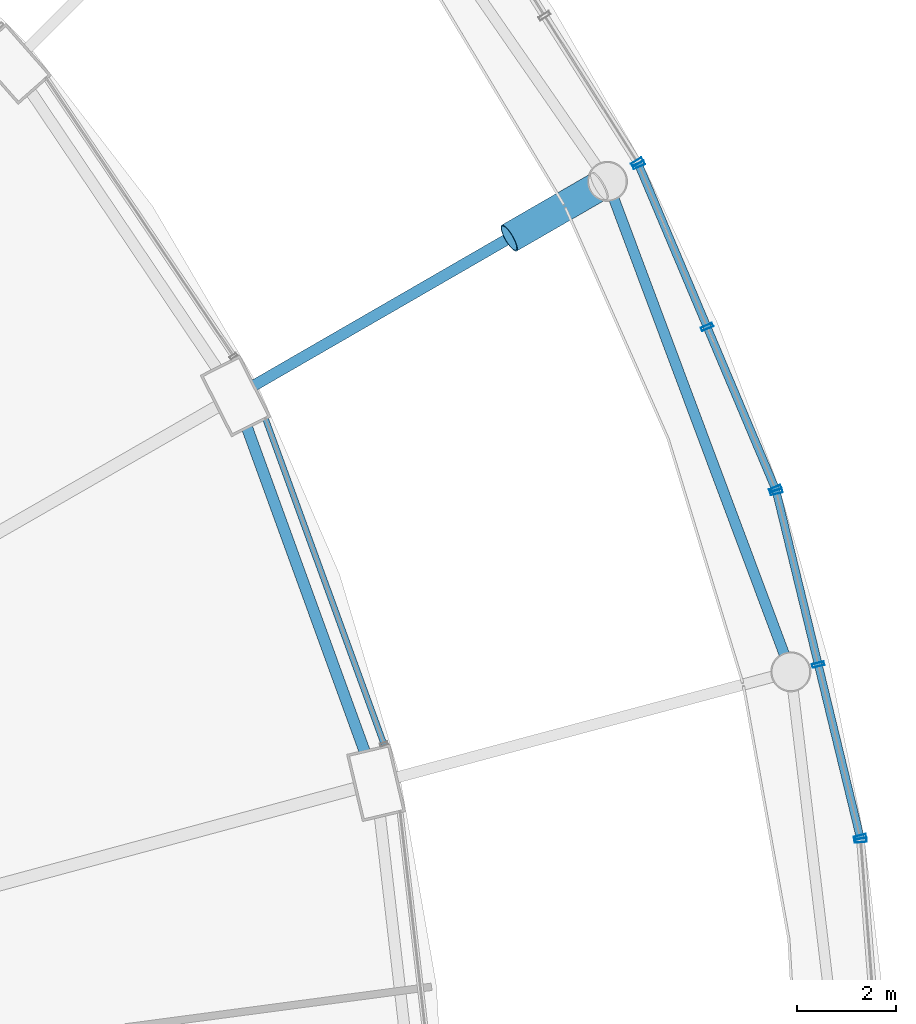
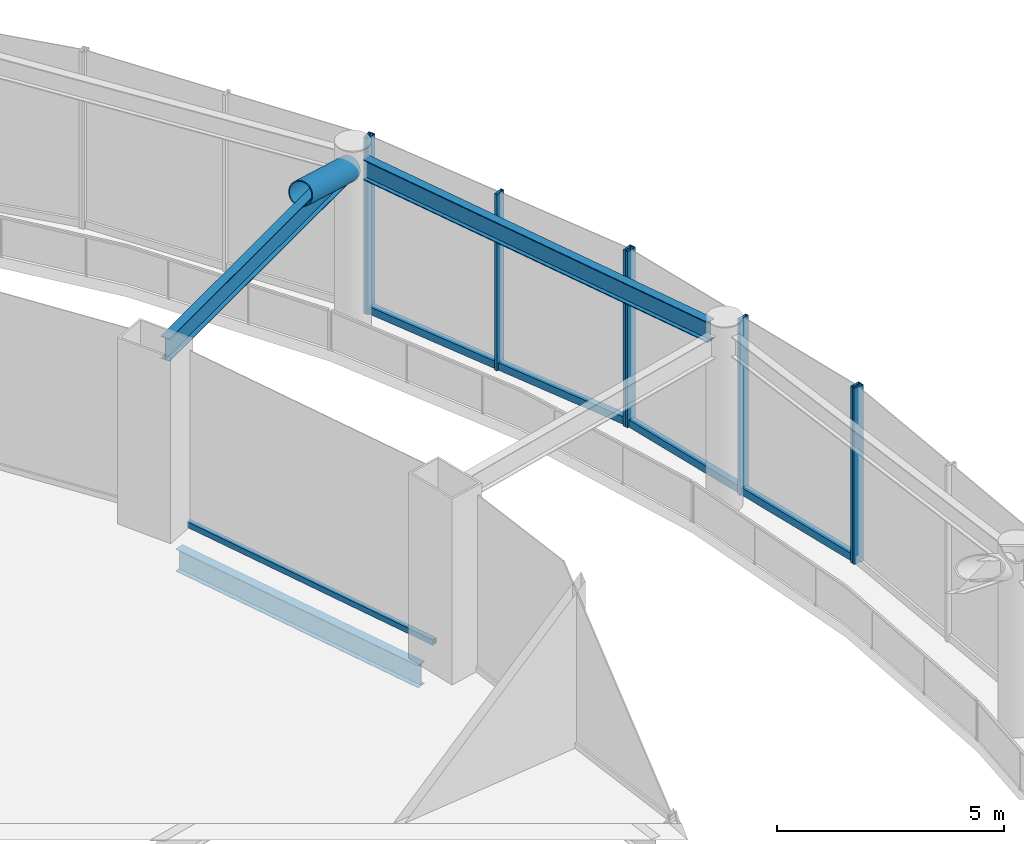
# One storey, part 29 of 52: 12 members, 3 beams, 5 elements without a shape of their own.
"""IFC4 building model written with IfcOpenShell, lengths in metres."""

import ifcopenshell
import ifcopenshell.guid

model = None  # the IFC model being written
_history = None  # IfcOwnerHistory: only IFC2X3 demands one
_inside = {}  # id of a spatial element -> (the spatial element, [elements in it])
_under = {}  # id of a project, library or spatial element -> (it, [spatial elements below it])
_declared = {}  # id of a project -> (the project, [libraries it declares])
_typed = {}  # id of a type object -> (the type object, [elements of that type])
_made_of = {}  # id of a material, layer set ... -> (it, [elements and type objects made of it])


def new_model(schema):
    """Start an empty IFC model of exactly this schema.

    Asked for "IFC4X3", IfcOpenShell would pick the latest addendum, in which some entities
    have other attributes; the version numbers below select the first issue.
    IFC2X3 requires an IfcOwnerHistory on every rooted entity: one is made here for all.
    """
    global model, _history
    if schema == "IFC4X3":
        model = ifcopenshell.file(schema_version=(4, 3, 0, 0))
    else:
        model = ifcopenshell.file(schema=schema)
    _inside.clear()
    _under.clear()
    _declared.clear()
    _typed.clear()
    _made_of.clear()
    _history = None
    if model.schema == "IFC2X3":
        org = make("IfcOrganization", Name="unknown")
        user = make(
            "IfcPersonAndOrganization",
            ThePerson=make("IfcPerson", FamilyName="unknown"),
            TheOrganization=org,
        )
        app = make(
            "IfcApplication",
            ApplicationDeveloper=org,
            Version="unknown",
            ApplicationFullName="unknown",
            ApplicationIdentifier="unknown",
        )
        _history = make(
            "IfcOwnerHistory",
            OwningUser=user,
            OwningApplication=app,
            ChangeAction="ADDED",
            CreationDate=0,
        )
    return model


def make(cls, **values):
    """One entity of the class cls with the attributes given. An attribute that is None is left unset."""
    return model.create_entity(
        cls, **{name: value for name, value in values.items() if value is not None}
    )


def rooted(cls, **values):
    """An entity with a GlobalId (a new one), such as an element, a storey or a relation."""
    return make(cls, GlobalId=ifcopenshell.guid.new(), OwnerHistory=_history, **values)


def si_unit(unit_type, name, prefix=None):
    """IfcSIUnit, for example si_unit("LENGTHUNIT", "METRE", prefix="MILLI")."""
    return make("IfcSIUnit", UnitType=unit_type, Prefix=prefix, Name=name)


def assignment(units):
    """IfcUnitAssignment: the units of a project."""
    return None if units is None else make("IfcUnitAssignment", Units=units)


def point(xyz):
    """IfcCartesianPoint."""
    return None if xyz is None else make("IfcCartesianPoint", Coordinates=xyz)


def direction(xyz):
    """IfcDirection."""
    return None if xyz is None else make("IfcDirection", DirectionRatios=xyz)


def frame(location, z_axis=None, x_axis=None):
    """IfcAxis2Placement3D, a coordinate frame: its origin and axes. An axis left out is left unset."""
    return make(
        "IfcAxis2Placement3D",
        Location=point(location),
        Axis=direction(z_axis),
        RefDirection=direction(x_axis),
    )


def frame_2d(location, x_axis=None):
    """IfcAxis2Placement2D, a coordinate frame in the plane: its origin and x axis."""
    return make(
        "IfcAxis2Placement2D", Location=point(location), RefDirection=direction(x_axis)
    )


def origin():
    """The frame at (0, 0, 0) with its axes left unset."""
    return frame((0.0, 0.0, 0.0))


def origin_2d():
    """The frame at (0, 0) in the plane with its x axis left unset."""
    return frame_2d((0.0, 0.0))


def place(relative_to, where):
    """IfcLocalPlacement: puts the frame where relative to a parent placement (None: the world)."""
    return make(
        "IfcLocalPlacement", PlacementRelTo=relative_to, RelativePlacement=where
    )


def context(
    kind, dimensions, precision=None, world=None, true_north=None, identifier=None
):
    """IfcGeometricRepresentationContext, for example the 3D "Model" context."""
    return make(
        "IfcGeometricRepresentationContext",
        ContextIdentifier=identifier,
        ContextType=kind,
        CoordinateSpaceDimension=dimensions,
        Precision=precision,
        WorldCoordinateSystem=world,
        TrueNorth=true_north,
    )


def subcontext(parent, identifier, kind, view, scale=None):
    """IfcGeometricRepresentationSubContext, for example "Body" below "Model"."""
    return make(
        "IfcGeometricRepresentationSubContext",
        ContextIdentifier=identifier,
        ContextType=kind,
        ParentContext=parent,
        TargetScale=scale,
        TargetView=view,
    )


def project(units=None, contexts=None):
    """IfcProject with its units and contexts."""
    return rooted(
        "IfcProject",
        Name="project",
        RepresentationContexts=contexts,
        UnitsInContext=assignment(units),
    )


def spatial(cls, under=None, at=None, **own):
    """A site, building, storey or space (cls), placed at a placement, below another one or the project."""
    s = rooted(cls, ObjectPlacement=at, **own)
    if under is not None:
        _under.setdefault(under.id(), (under, []))[1].append(s)
    return s


def profile(cls, at=None, kind="AREA", **sizes):
    """A parametric profile (cls). Its sizes go by their IFC names, for example OverallWidth=200.0."""
    return make(cls, ProfileType=kind, Position=at, **sizes)


def hollow_rectangle(**sizes):
    """IfcRectangleHollowProfileDef."""
    return profile("IfcRectangleHollowProfileDef", **sizes)


def hollow_circle(**sizes):
    """IfcCircleHollowProfileDef."""
    return profile("IfcCircleHollowProfileDef", **sizes)


def i_section(**sizes):
    """IfcIShapeProfileDef."""
    return profile("IfcIShapeProfileDef", **sizes)


def extrude(swept, where, along, depth):
    """IfcExtrudedAreaSolid: the profile swept, set in the frame where, extruded along a direction by depth."""
    return make(
        "IfcExtrudedAreaSolid",
        SweptArea=swept,
        Position=where,
        ExtrudedDirection=direction(along),
        Depth=depth,
    )


def shape(context_of_items, identifier, shape_type, items):
    """IfcShapeRepresentation: the items that make up one representation, for example the "Body"."""
    return make(
        "IfcShapeRepresentation",
        ContextOfItems=context_of_items,
        RepresentationIdentifier=identifier,
        RepresentationType=shape_type,
        Items=items,
    )


def material(Name=None, Category=None):
    """IfcMaterial."""
    return make("IfcMaterial", Name=Name, Category=Category)


def layer(
    of_material, thickness, ventilated=None, Name=None, Category=None, Priority=None
):
    """IfcMaterialLayer: one layer of a wall or slab, of a material (None: an air gap)."""
    return make(
        "IfcMaterialLayer",
        Material=of_material,
        LayerThickness=thickness,
        IsVentilated=ventilated,
        Name=Name,
        Category=Category,
        Priority=Priority,
    )


def layer_set(layers, Name=None):
    """IfcMaterialLayerSet."""
    return make("IfcMaterialLayerSet", MaterialLayers=layers, LayerSetName=Name)


def material_profile(
    of_material, cross_section, Name=None, Category=None, Priority=None
):
    """IfcMaterialProfile: a cross section and its material."""
    return make(
        "IfcMaterialProfile",
        Name=Name,
        Material=of_material,
        Profile=cross_section,
        Priority=Priority,
        Category=Category,
    )


def profile_set(profiles, Name=None, composite=None):
    """IfcMaterialProfileSet."""
    return make(
        "IfcMaterialProfileSet",
        Name=Name,
        MaterialProfiles=profiles,
        CompositeProfile=composite,
    )


def made_of(thing, what):
    """Note that an element or type object is made of a material, layer set ...; save() writes the relation."""
    if what is not None:
        _made_of.setdefault(what.id(), (what, []))[1].append(thing)
    return thing


def type_object(cls, material=None, **own):
    """A type object (cls), such as IfcWallType, which elements share."""
    return made_of(rooted(cls, **own), material)


def element(
    cls,
    number,
    at=None,
    inside=None,
    cuts=None,
    type_object=None,
    material=None,
    context=None,
    identifier="Body",
    shape_type=None,
    held_by="IfcProductDefinitionShape",
    body=None,
    shapes=None,
    **own,
):
    """One element of the class cls, such as IfcWall. Its Tag is "e" and its number.

    at: its placement. inside: the storey or other place that contains it. cuts: it is an
    opening in that element (IfcRelVoidsElement). A single representation is given by context,
    identifier, shape_type and body (its items); several are given by shapes. held_by: the class
    of the entity that holds the representations. save() writes the other relations.
    """
    e = rooted(cls, Tag="e%d" % number, ObjectPlacement=at, **own)
    if body is not None:
        shapes = [shape(context, identifier, shape_type, body)]
    if shapes is not None:
        e.Representation = make(held_by, Representations=shapes)
    if inside is not None:
        _inside.setdefault(inside.id(), (inside, []))[1].append(e)
    if cuts is not None:
        rooted(
            "IfcRelVoidsElement", RelatingBuildingElement=cuts, RelatedOpeningElement=e
        )
    if type_object is not None:
        _typed.setdefault(type_object.id(), (type_object, []))[1].append(e)
    return made_of(e, material)


def aggregate(whole, parts):
    """IfcRelAggregates: a whole, such as a stair, and the parts it consists of."""
    return rooted("IfcRelAggregates", RelatingObject=whole, RelatedObjects=parts)


def save(model, path):
    """Write the relations noted so far, then the file.

    IfcRelAggregates (storeys below a building ...), IfcRelContainedInSpatialStructure (elements
    in a storey), IfcRelDefinesByType, IfcRelAssociatesMaterial and IfcRelDeclares: one each for
    every whole, place, type object, material and project.
    """
    for whole, parts in _under.values():
        aggregate(whole, parts)
    for where, things in _inside.values():
        rooted(
            "IfcRelContainedInSpatialStructure",
            RelatedElements=things,
            RelatingStructure=where,
        )
    for kind, things in _typed.values():
        rooted("IfcRelDefinesByType", RelatedObjects=things, RelatingType=kind)
    for what, things in _made_of.values():
        rooted("IfcRelAssociatesMaterial", RelatedObjects=things, RelatingMaterial=what)
    for by, libraries in _declared.values():
        rooted("IfcRelDeclares", RelatingContext=by, RelatedDefinitions=libraries)
    model.write(path)


model = new_model("IFC4")

# Units and contexts
model_context = context("Model", 3, precision=1e-05, world=origin(), true_north=direction((0.0, 1.0)))
body_context = subcontext(model_context, "Body", "Model", "MODEL_VIEW")
ifc_project = project(units=[si_unit("LENGTHUNIT", "METRE"), si_unit("AREAUNIT", "SQUARE_METRE"), si_unit("VOLUMEUNIT", "CUBIC_METRE"), si_unit("PLANEANGLEUNIT", "RADIAN"), si_unit("MASSUNIT", "GRAM", prefix="KILO")], contexts=[model_context])

# Site, building, storey
site_placement = place(None, origin())
site = spatial("IfcSite", under=ifc_project, at=site_placement, CompositionType="ELEMENT")
building_placement = place(site_placement, origin())
building = spatial("IfcBuilding", under=site, at=building_placement, Name="Nagisa Residences", CompositionType="ELEMENT")
storey_placement = place(building_placement, frame((0.0, 0.0, 22.0)))
storey = spatial("IfcBuildingStorey", under=building, at=storey_placement, Name="L04", CompositionType="ELEMENT", Elevation=22.0)

# Beams
ifc_material_1 = material(Name="Steel ASTM A572 Gr 50", Category="steel")
ifc_material_profile_1 = material_profile(ifc_material_1, i_section(OverallWidth=0.214111328125, OverallDepth=0.549072265625, WebThickness=0.0146484375, FlangeThickness=0.023681640625, at=origin_2d()), Name="W530x138")
ifc_profile_set_1 = profile_set([ifc_material_profile_1], Name="Steel ASTM A572 Gr 50")
beam_type_1 = type_object("IfcBeamType", Name="Atrium ring beam W530x138", PredefinedType="BEAM", material=ifc_profile_set_1)
beam_1_placement = place(storey_placement, frame((39.39697265625, 11.025390625, 4.4755859375), z_axis=(-0.350304540877, 0.936635857012, 0.0), x_axis=(-0.936635857012, -0.350304540877, 0.0)))
element("IfcBeam", 1, at=beam_1_placement, inside=storey, type_object=beam_type_1, Name="beam:L04:rab02", PredefinedType="BEAM", context=body_context, shape_type="SweptSolid", body=[
    extrude(i_section(OverallWidth=0.214111328125, OverallDepth=0.549072265625, WebThickness=0.0146484375, FlangeThickness=0.023681640625, at=origin_2d()), origin(), (0.0, 0.0, 1.0), 9.8359375),
])
ifc_material_2 = material(Name="Steel ASTM A572 Gr 50", Category="steel")
ifc_material_profile_2 = material_profile(ifc_material_2, i_section(OverallWidth=0.22802734375, OverallDepth=0.60302734375, WebThickness=0.010498046875, FlangeThickness=0.014892578125, at=origin_2d()), Name="W610x101")
ifc_profile_set_2 = profile_set([ifc_material_profile_2], Name="Steel ASTM A572 Gr 50")
beam_type_2 = type_object("IfcBeamType", Name="Atrium roof beam W610x101", PredefinedType="BEAM", material=ifc_profile_set_2)
beam_2_placement = place(storey_placement, frame((28.65478515625, 16.46533203125, 4.448486328125), z_axis=(0.866023636568, 0.500003060896, 0.0), x_axis=(-0.500003060896, 0.866023636568, 0.0)))
element("IfcBeam", 2, at=beam_2_placement, inside=storey, type_object=beam_type_2, Name="beam:L04:rer03", PredefinedType="BEAM", context=body_context, shape_type="SweptSolid", body=[
    extrude(i_section(OverallWidth=0.22802734375, OverallDepth=0.60302734375, WebThickness=0.010498046875, FlangeThickness=0.014892578125, at=origin_2d()), origin(), (0.0, 0.0, 1.0), 7.8828125),
])

# Curtain wall, member
ifc_material_3 = material(Name="Stainless steel curtain wall system", Category="steel")
ifc_layer_1 = layer(ifc_material_3, 0.159912109375)
ifc_layer_set_1 = layer_set([ifc_layer_1], Name="CW3 CURTAIN WALL")
curtain_wall_type_1 = type_object("IfcCurtainWallType", Name="CW3 CURTAIN WALL", PredefinedType="NOTDEFINED", material=ifc_layer_set_1)
curtain_wall_1_placement = place(storey_placement, origin())
curtain_wall_1 = element("IfcCurtainWall", 3, at=curtain_wall_1_placement, inside=storey, type_object=curtain_wall_type_1, Name="cw:CW3:L04:00", PredefinedType="NOTDEFINED")
ifc_material_4 = material(Name="Stainless steel", Category="steel")
ifc_material_profile_3 = material_profile(ifc_material_4, hollow_rectangle(XDim=0.25, YDim=0.080078125, WallThickness=0.008056640625, at=origin_2d()), Name="CW3 MULLION 250x80")
ifc_profile_set_3 = profile_set([ifc_material_profile_3], Name="Stainless steel")
member_type_1 = type_object("IfcMemberType", Name="CW3 MULLION 250x80", PredefinedType="MULLION", material=ifc_profile_set_3)
member_1_placement = place(storey_placement, frame((40.946044921875, 7.2470703125, 0.0), z_axis=(0.0, 0.0, 1.0), x_axis=(-0.996881777235, -0.078909582539, 0.0)))
member_1 = element("IfcMember", 4, at=member_1_placement, type_object=member_type_1, Name="CW3 mullion", PredefinedType="MULLION", context=body_context, shape_type="SweptSolid", body=[
    extrude(hollow_rectangle(XDim=0.25, YDim=0.080078125, WallThickness=0.008056640625, at=origin_2d()), origin(), (0.0, 0.0, 1.0), 4.739990234375),
])
aggregate(curtain_wall_1, [member_1])

# Curtain wall, members
curtain_wall_2_placement = place(storey_placement, origin())
curtain_wall_2 = element("IfcCurtainWall", 5, at=curtain_wall_2_placement, inside=storey, type_object=curtain_wall_type_1, Name="cw:CW3:L04:01", PredefinedType="NOTDEFINED")
member_2_placement = place(storey_placement, frame((40.935546875, 7.313232421875, 0.0), z_axis=(0.0, 0.0, 1.0), x_axis=(-0.971848775146, -0.235605514043, 0.0)))
member_2 = element("IfcMember", 6, at=member_2_placement, type_object=member_type_1, Name="CW3 mullion", PredefinedType="MULLION", context=body_context, shape_type="SweptSolid", body=[
    extrude(hollow_rectangle(XDim=0.25, YDim=0.080078125, WallThickness=0.008056640625, at=origin_2d()), origin(), (0.0, 0.0, 1.0), 4.739990234375),
])
member_3_placement = place(storey_placement, frame((40.087646484375, 10.810302734375, 0.0), z_axis=(0.0, 0.0, 1.0), x_axis=(-0.971848775146, -0.235605514043, 0.0)))
member_3 = element("IfcMember", 7, at=member_3_placement, type_object=member_type_1, Name="CW3 mullion", PredefinedType="MULLION", context=body_context, shape_type="SweptSolid", body=[
    extrude(hollow_rectangle(XDim=0.25, YDim=0.080078125, WallThickness=0.008056640625, at=origin_2d()), origin(), (0.0, 0.0, 1.0), 4.739990234375),
])
member_4_placement = place(storey_placement, frame((39.239990234375, 14.30712890625, 0.0), z_axis=(0.0, 0.0, 1.0), x_axis=(-0.971848775146, -0.235605514043, 0.0)))
member_4 = element("IfcMember", 8, at=member_4_placement, type_object=member_type_1, Name="CW3 mullion", PredefinedType="MULLION", context=body_context, shape_type="SweptSolid", body=[
    extrude(hollow_rectangle(XDim=0.25, YDim=0.080078125, WallThickness=0.008056640625, at=origin_2d()), origin(), (0.0, 0.0, 1.0), 4.739990234375),
])

curtain_wall_3_placement = place(storey_placement, origin())
curtain_wall_3 = element("IfcCurtainWall", 9, at=curtain_wall_3_placement, inside=storey, type_object=curtain_wall_type_1, Name="cw:CW3:L04:02", PredefinedType="NOTDEFINED")
member_5_placement = place(storey_placement, frame((39.218994140625, 14.37060546875, 0.0), z_axis=(0.0, 0.0, 1.0), x_axis=(-0.921356767819, -0.388718029417, 0.0)))
member_5 = element("IfcMember", 10, at=member_5_placement, type_object=member_type_1, Name="CW3 mullion", PredefinedType="MULLION", context=body_context, shape_type="SweptSolid", body=[
    extrude(hollow_rectangle(XDim=0.25, YDim=0.080078125, WallThickness=0.008056640625, at=origin_2d()), origin(), (0.0, 0.0, 1.0), 4.739990234375),
])
member_6_placement = place(storey_placement, frame((37.8349609375, 17.6513671875, 0.0), z_axis=(0.0, 0.0, 1.0), x_axis=(-0.921356767819, -0.388718029417, 0.0)))
member_6 = element("IfcMember", 11, at=member_6_placement, type_object=member_type_1, Name="CW3 mullion", PredefinedType="MULLION", context=body_context, shape_type="SweptSolid", body=[
    extrude(hollow_rectangle(XDim=0.25, YDim=0.080078125, WallThickness=0.008056640625, at=origin_2d()), origin(), (0.0, 0.0, 1.0), 4.739990234375),
])
member_7_placement = place(storey_placement, frame((36.45068359375, 20.93212890625, 0.0), z_axis=(0.0, 0.0, 1.0), x_axis=(-0.921356767819, -0.388718029417, 0.0)))
member_7 = element("IfcMember", 12, at=member_7_placement, type_object=member_type_1, Name="CW3 mullion", PredefinedType="MULLION", context=body_context, shape_type="SweptSolid", body=[
    extrude(hollow_rectangle(XDim=0.25, YDim=0.080078125, WallThickness=0.008056640625, at=origin_2d()), origin(), (0.0, 0.0, 1.0), 4.739990234375),
])

# Curtain wall, member
curtain_wall_4_placement = place(storey_placement, origin())
curtain_wall_4 = element("IfcCurtainWall", 13, at=curtain_wall_4_placement, inside=storey, type_object=curtain_wall_type_1, Name="cw:CW3:L04:03", PredefinedType="NOTDEFINED")
member_8_placement = place(storey_placement, frame((36.419921875, 20.990966796875, 0.0), z_axis=(0.0, 0.0, 1.0), x_axis=(-0.844747368001, -0.535165286856, 0.0)))
member_8 = element("IfcMember", 14, at=member_8_placement, type_object=member_type_1, Name="CW3 mullion", PredefinedType="MULLION", context=body_context, shape_type="SweptSolid", body=[
    extrude(hollow_rectangle(XDim=0.25, YDim=0.080078125, WallThickness=0.008056640625, at=origin_2d()), origin(), (0.0, 0.0, 1.0), 4.739990234375),
])
aggregate(curtain_wall_4, [member_8])

# Member
ifc_material_5 = material(Name="Stainless steel", Category="steel")
ifc_material_profile_4 = material_profile(ifc_material_5, hollow_rectangle(XDim=0.159912109375, YDim=0.199951171875, WallThickness=0.008056640625, at=origin_2d()), Name="CW3 TRANSOM 160x200")
ifc_profile_set_4 = profile_set([ifc_material_profile_4], Name="Stainless steel")
member_type_2 = type_object("IfcMemberType", Name="CW3 TRANSOM 160x200", PredefinedType="USERDEFINED", material=ifc_profile_set_4)
member_9_placement = place(storey_placement, frame((40.945068359375, 7.2744140625, 0.10009765625), z_axis=(-0.235637477095, 0.97184102578, 0.0), x_axis=(-0.97184102578, -0.235637477095, 0.0)))
member_9 = element("IfcMember", 15, at=member_9_placement, type_object=member_type_2, Name="CW3 transom", ObjectType="TRANSOM", PredefinedType="USERDEFINED", context=body_context, shape_type="SweptSolid", body=[
    extrude(hollow_rectangle(XDim=0.159912109375, YDim=0.199951171875, WallThickness=0.008056640625, at=origin_2d()), origin(), (0.0, 0.0, 1.0), 7.2763671875),
])

aggregate(curtain_wall_2, [member_2, member_3, member_4, member_9])

member_10_placement = place(storey_placement, frame((39.234619140625, 14.333740234375, 0.10009765625), z_axis=(-0.388708599467, 0.921360746234, 0.0), x_axis=(-0.921360746234, -0.388708599467, 0.0)))
member_10 = element("IfcMember", 16, at=member_10_placement, type_object=member_type_2, Name="CW3 transom", ObjectType="TRANSOM", PredefinedType="USERDEFINED", context=body_context, shape_type="SweptSolid", body=[
    extrude(hollow_rectangle(XDim=0.159912109375, YDim=0.199951171875, WallThickness=0.008056640625, at=origin_2d()), origin(), (0.0, 0.0, 1.0), 7.20166015625),
])

aggregate(curtain_wall_3, [member_5, member_6, member_7, member_10])

# Curtain wall, member
ifc_material_6 = material(Name="Stainless steel curtain wall system", Category="steel")
ifc_layer_2 = layer(ifc_material_6, 0.159912109375)
ifc_layer_set_2 = layer_set([ifc_layer_2], Name="CW6 CURTAIN WALL")
curtain_wall_type_2 = type_object("IfcCurtainWallType", Name="CW6 CURTAIN WALL", PredefinedType="NOTDEFINED", material=ifc_layer_set_2)
curtain_wall_5_placement = place(storey_placement, origin())
curtain_wall_5 = element("IfcCurtainWall", 17, at=curtain_wall_5_placement, inside=storey, type_object=curtain_wall_type_2, Name="cw:CW6:L04:02", PredefinedType="NOTDEFINED")
ifc_material_7 = material(Name="Stainless steel", Category="steel")
ifc_material_profile_5 = material_profile(ifc_material_7, hollow_rectangle(XDim=0.1201171875, YDim=0.14990234375, WallThickness=0.008056640625, at=origin_2d()), Name="CW6 TRANSOM 120x150")
ifc_profile_set_5 = profile_set([ifc_material_profile_5], Name="Stainless steel")
member_type_3 = type_object("IfcMemberType", Name="CW6 TRANSOM 120x150", PredefinedType="USERDEFINED", material=ifc_profile_set_5)
member_11_placement = place(storey_placement, frame((31.297119140625, 9.17138671875, 0.074951171875), z_axis=(-0.342039719013, 0.939685495587, 0.0), x_axis=(-0.939685495587, -0.342039719013, 0.0)))
member_11 = element("IfcMember", 18, at=member_11_placement, type_object=member_type_3, Name="CW6 transom", ObjectType="TRANSOM", PredefinedType="USERDEFINED", context=body_context, shape_type="SweptSolid", body=[
    extrude(hollow_rectangle(XDim=0.1201171875, YDim=0.14990234375, WallThickness=0.008056640625, at=origin_2d()), origin(), (0.0, 0.0, 1.0), 7.070068359375),
])
aggregate(curtain_wall_5, [member_11])

# Member
ifc_material_8 = material(Name="Steel ASTM A572 Gr 65", Category="steel")
ifc_material_profile_6 = material_profile(ifc_material_8, hollow_circle(Radius=0.304931640625, WallThickness=0.02490234375, at=origin_2d()), Name="CHS 610x25")
ifc_profile_set_6 = profile_set([ifc_material_profile_6], Name="Steel ASTM A572 Gr 65")
member_type_4 = type_object("IfcMemberType", Name="Cage strut CHS 610x25", PredefinedType="STRUT", material=ifc_profile_set_6)
member_12_placement = place(storey_placement, frame((33.82421875, 19.449951171875, 5.0), z_axis=(0.832677989233, 0.480782391152, -0.27476473319), x_axis=(-0.500027713859, 0.866009402589, 0.0)))
element("IfcMember", 19, at=member_12_placement, inside=storey, type_object=member_type_4, Name="mem:L04:cg1tie02", PredefinedType="STRUT", context=body_context, shape_type="SweptSolid", body=[
    extrude(hollow_circle(Radius=0.304931640625, WallThickness=0.02490234375, at=origin_2d()), origin(), (0.0, 0.0, 1.0), 2.18408203125),
])

# Beam
ifc_material_9 = material(Name="Steel ASTM A572 Gr 50", Category="steel")
ifc_material_profile_7 = material_profile(ifc_material_9, i_section(OverallWidth=0.22802734375, OverallDepth=0.60302734375, WebThickness=0.010498046875, FlangeThickness=0.014892578125, at=origin_2d()), Name="W610x101")
ifc_profile_set_7 = profile_set([ifc_material_profile_7], Name="Steel ASTM A572 Gr 50")
beam_type_3 = type_object("IfcBeamType", Name="Perimeter ring beam W610x101", PredefinedType="BEAM", material=ifc_profile_set_7)
beam_3_placement = place(storey_placement, frame((30.89501953125, 9.055419921875, -0.6015625), z_axis=(-0.341411143183, 0.939914055279, 0.0), x_axis=(-0.939914055279, -0.341411143183, 0.0)))
element("IfcBeam", 20, at=beam_3_placement, inside=storey, type_object=beam_type_3, Name="beam:L04:pb02", PredefinedType="BEAM", context=body_context, shape_type="SweptSolid", body=[
    extrude(i_section(OverallWidth=0.22802734375, OverallDepth=0.60302734375, WebThickness=0.010498046875, FlangeThickness=0.014892578125, at=origin_2d()), origin(), (0.0, 0.0, 1.0), 6.96923828125),
])

save(model, "model.ifc")
